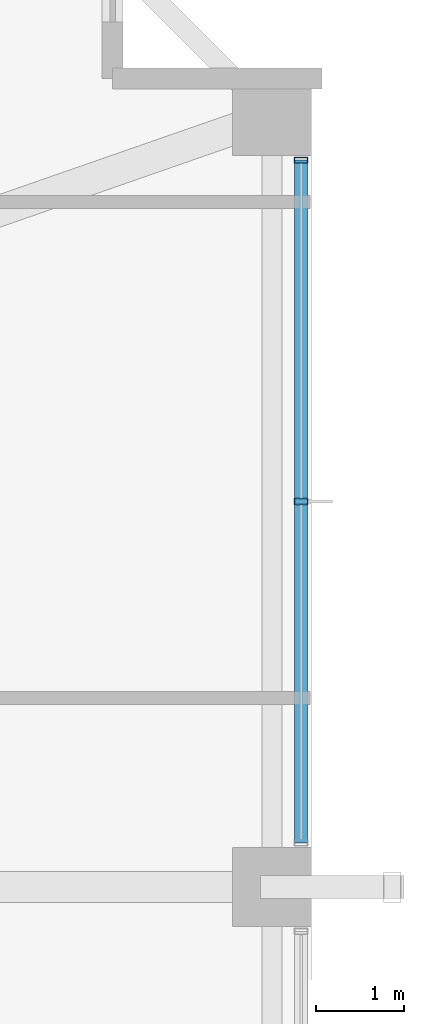
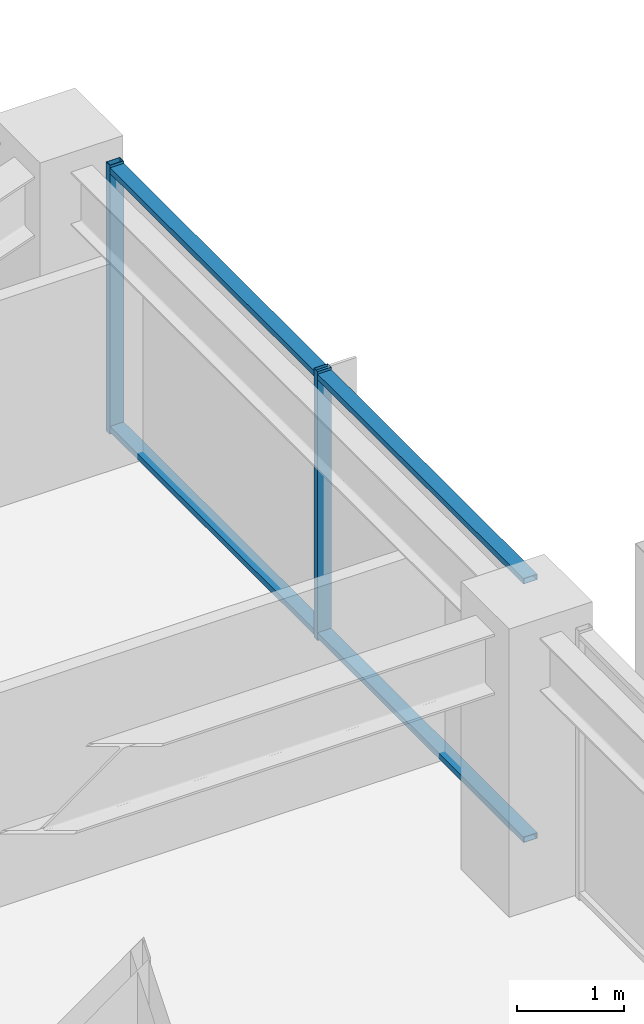
# One storey, part 23 of 37: 4 members, 1 element without a shape of its own.
"""IFC4 building model written with IfcOpenShell, lengths in metres."""

from ifc_helpers import new_model, si_unit, direction, frame, origin, origin_2d, place, context, subcontext, project, spatial, hollow_rectangle, extrude, material, material_profile, profile_set, type_object, element, aggregate, save


model = new_model("IFC4")

# Units and contexts
model_context = context("Model", 3, precision=1e-05, world=origin(), true_north=direction((0.0, 1.0)))
body_context = subcontext(model_context, "Body", "Model", "MODEL_VIEW")
ifc_project = project(units=[si_unit("LENGTHUNIT", "METRE"), si_unit("AREAUNIT", "SQUARE_METRE"), si_unit("VOLUMEUNIT", "CUBIC_METRE"), si_unit("PLANEANGLEUNIT", "RADIAN"), si_unit("MASSUNIT", "GRAM", prefix="KILO")], contexts=[model_context])

# Site, building, storey
site_placement = place(None, origin())
site = spatial("IfcSite", under=ifc_project, at=site_placement, CompositionType="ELEMENT")
building_placement = place(site_placement, origin())
building = spatial("IfcBuilding", under=site, at=building_placement, Name="Kolvaren Belvedere", CompositionType="ELEMENT")
storey_placement = place(building_placement, frame((0.0, 0.0, 180.0)))
storey = spatial("IfcBuildingStorey", under=building, at=storey_placement, Name="L52", CompositionType="ELEMENT", Elevation=180.0)

# Curtain wall, members
ifc_material_1 = material(Name="Anodised pale-metal aluminium AA 6063-T6", Category="aluminium")
curtain_wall_type = type_object("IfcCurtainWallType", Name="CW-Z5-HIGH", PredefinedType="NOTDEFINED", material=ifc_material_1)
curtain_wall_placement = place(storey_placement, origin())
curtain_wall = element("IfcCurtainWall", 1, at=curtain_wall_placement, inside=storey, type_object=curtain_wall_type, Name="L52 Unitised Curtain Wall FCW-L52-E-B1", PredefinedType="NOTDEFINED")
ifc_material_2 = material(Name="Anodised pale-metal aluminium AA 6063-T6", Category="aluminium")
ifc_material_profile_1 = material_profile(ifc_material_2, hollow_rectangle(XDim=0.070068359375, YDim=0.14990234375, WallThickness=0.004150390625, at=origin_2d()), Name="ALU-MUL-150X70")
ifc_profile_set_1 = profile_set([ifc_material_profile_1], Name="Anodised pale-metal aluminium AA 6063-T6")
member_type_1 = type_object("IfcMemberType", Name="CW-MUL-150", PredefinedType="MULLION", material=ifc_profile_set_1)
member_1_placement = place(storey_placement, frame((20.280029296875, 12.89501953125, 0.0), z_axis=(0.0, 0.0, 1.0), x_axis=(0.0, 1.0, 0.0)))
member_1 = element("IfcMember", 2, at=member_1_placement, type_object=member_type_1, Name="FCW-L52-E-B1 Unitised Mullion 1", PredefinedType="MULLION", context=body_context, shape_type="SweptSolid", body=[
    extrude(hollow_rectangle(XDim=0.070068359375, YDim=0.14990234375, WallThickness=0.004150390625, at=origin_2d()), origin(), (0.0, 0.0, 1.0), 3.080078125),
])
member_2_placement = place(storey_placement, frame((20.280029296875, 9.0, 0.0), z_axis=(0.0, 0.0, 1.0), x_axis=(0.0, 1.0, 0.0)))
member_2 = element("IfcMember", 3, at=member_2_placement, type_object=member_type_1, Name="FCW-L52-E-B1 Unitised Mullion 2", PredefinedType="MULLION", context=body_context, shape_type="SweptSolid", body=[
    extrude(hollow_rectangle(XDim=0.070068359375, YDim=0.14990234375, WallThickness=0.004150390625, at=origin_2d()), origin(), (0.0, 0.0, 1.0), 3.080078125),
])
ifc_material_3 = material(Name="Anodised pale-metal aluminium AA 6063-T6", Category="aluminium")
ifc_material_profile_2 = material_profile(ifc_material_3, hollow_rectangle(XDim=0.06494140625, YDim=0.14990234375, WallThickness=0.00390625, at=origin_2d()), Name="ALU-TRN-150X65")
ifc_profile_set_2 = profile_set([ifc_material_profile_2], Name="Anodised pale-metal aluminium AA 6063-T6")
member_type_2 = type_object("IfcMemberType", Name="CW-TRN-150", PredefinedType="USERDEFINED", material=ifc_profile_set_2)
member_3_placement = place(storey_placement, frame((20.280029296875, 12.89501953125, 0.06005859375), z_axis=(0.0, -1.0, 0.0), x_axis=(0.0, 0.0, 1.0)))
member_3 = element("IfcMember", 4, at=member_3_placement, type_object=member_type_2, Name="FCW-L52-E-B1 Sill Transom", ObjectType="TRANSOM", PredefinedType="USERDEFINED", context=body_context, shape_type="SweptSolid", body=[
    extrude(hollow_rectangle(XDim=0.06494140625, YDim=0.14990234375, WallThickness=0.00390625, at=origin_2d()), origin(), (0.0, 0.0, 1.0), 7.7900390625),
])
member_4_placement = place(storey_placement, frame((20.280029296875, 12.89501953125, 3.02001953125), z_axis=(0.0, -1.0, 0.0), x_axis=(0.0, 0.0, 1.0)))
member_4 = element("IfcMember", 5, at=member_4_placement, type_object=member_type_2, Name="FCW-L52-E-B1 Head Transom", ObjectType="TRANSOM", PredefinedType="USERDEFINED", context=body_context, shape_type="SweptSolid", body=[
    extrude(hollow_rectangle(XDim=0.06494140625, YDim=0.14990234375, WallThickness=0.00390625, at=origin_2d()), origin(), (0.0, 0.0, 1.0), 7.7900390625),
])
aggregate(curtain_wall, [member_1, member_2, member_3, member_4])

save(model, "model.ifc")
